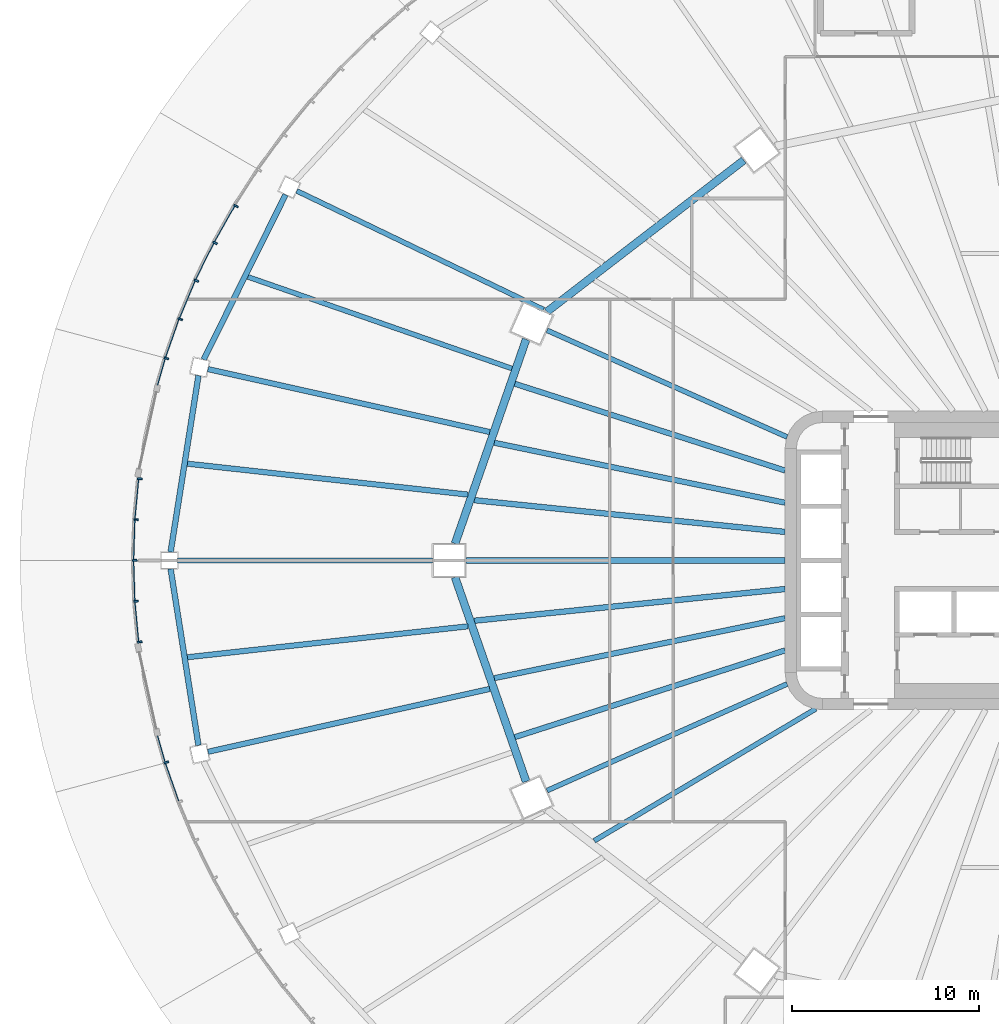
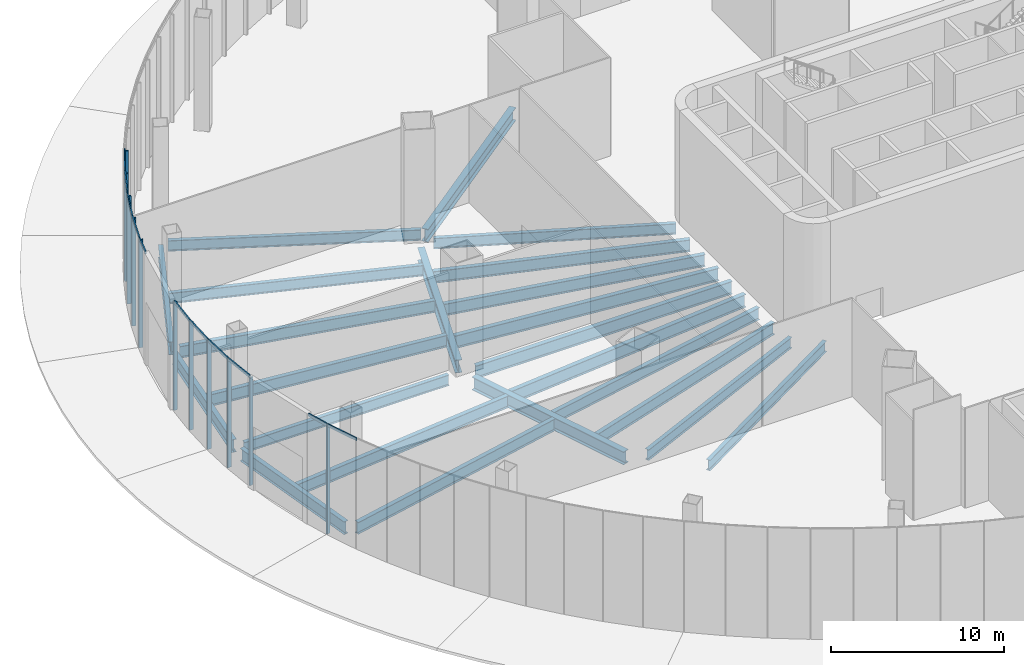
# One storey, part 4 of 36: 23 beams, 22 members, 6 elements without a shape of their own.
"""IFC4 building model written with IfcOpenShell, lengths in metres."""

from ifc_helpers import new_model, si_unit, direction, frame, origin, origin_2d, place, context, subcontext, project, spatial, rectangle, i_section, extrude, material, layer, layer_set, material_profile, profile_set, type_object, element, aggregate, save


model = new_model("IFC4")

# Units and contexts
model_context = context("Model", 3, precision=1e-05, world=origin(), true_north=direction((0.0, 1.0)))
body_context = subcontext(model_context, "Body", "Model", "MODEL_VIEW")
ifc_project = project(units=[si_unit("LENGTHUNIT", "METRE"), si_unit("AREAUNIT", "SQUARE_METRE"), si_unit("VOLUMEUNIT", "CUBIC_METRE"), si_unit("PLANEANGLEUNIT", "RADIAN"), si_unit("MASSUNIT", "GRAM", prefix="KILO")], contexts=[model_context])

# Site, building, storey
site_placement = place(None, origin())
site = spatial("IfcSite", under=ifc_project, at=site_placement, CompositionType="ELEMENT")
building_placement = place(site_placement, origin())
building = spatial("IfcBuilding", under=site, at=building_placement, Name="Sahrelin Media Tower", CompositionType="ELEMENT")
storey_placement = place(building_placement, origin())
storey = spatial("IfcBuildingStorey", under=building, at=storey_placement, Name="L00", CompositionType="ELEMENT", Elevation=0.0)

# Curtain wall, members
ifc_material_1 = material(Name="Champagne anodised aluminium 6063-T6", Category="aluminium")
ifc_layer = layer(ifc_material_1, 0.14990234375)
ifc_layer_set = layer_set([ifc_layer], Name="Concourse curtain wall")
curtain_wall_type = type_object("IfcCurtainWallType", Name="Concourse curtain wall", PredefinedType="NOTDEFINED", material=ifc_layer_set)
curtain_wall_1_placement = place(storey_placement, frame((-43.30126953125, 21.0, 0.0), z_axis=(0.0, 0.0, 1.0), x_axis=(1.0, 0.0, 0.0)))
curtain_wall_1 = element("IfcCurtainWall", 1, at=curtain_wall_1_placement, inside=storey, type_object=curtain_wall_type, Name="L00:CW:L00-P10", PredefinedType="NOTDEFINED")
ifc_material_profile_1 = material_profile(ifc_material_1, rectangle(XDim=0.10009765625, YDim=0.25, at=origin_2d()), Name="Mullion 100x250")
ifc_profile_set_1 = profile_set([ifc_material_profile_1], Name="Champagne anodised aluminium 6063-T6")
member_type_1 = type_object("IfcMemberType", Name="Mullion 100x250 CW4", PredefinedType="MULLION", material=ifc_profile_set_1)
member_1_placement = place(storey_placement, frame((-44.42431640625, 18.99609375, 0.0), z_axis=(0.0, 0.0, 1.0), x_axis=(-0.493787068155, -0.869582849028, 0.0)))
member_1 = element("IfcMember", 2, at=member_1_placement, type_object=member_type_1, Name="L00:CWM2:L00-P10", PredefinedType="MULLION", context=body_context, shape_type="SweptSolid", body=[
    extrude(rectangle(XDim=0.10009765625, YDim=0.25, at=origin_2d()), origin(), (0.0, 0.0, 1.0), 7.60009765625),
])
member_2_placement = place(storey_placement, frame((-45.54736328125, 17.018798828125, 0.0), z_axis=(0.0, 0.0, 1.0), x_axis=(-0.442262079274, -0.896885864108, 0.0)))
member_2 = element("IfcMember", 3, at=member_2_placement, type_object=member_type_1, Name="L00:CWM3:L00-P10", PredefinedType="MULLION", context=body_context, shape_type="SweptSolid", body=[
    extrude(rectangle(XDim=0.10009765625, YDim=0.25, at=origin_2d()), origin(), (0.0, 0.0, 1.0), 7.60009765625),
])
member_3_placement = place(storey_placement, frame((-46.54541015625, 14.9951171875, 0.0), z_axis=(0.0, 0.0, 1.0), x_axis=(-0.388450189752, -0.921469722824, 0.0)))
member_3 = element("IfcMember", 4, at=member_3_placement, type_object=member_type_1, Name="L00:CWM4:L00-P10", PredefinedType="MULLION", context=body_context, shape_type="SweptSolid", body=[
    extrude(rectangle(XDim=0.10009765625, YDim=0.25, at=origin_2d()), origin(), (0.0, 0.0, 1.0), 7.60009765625),
])
member_4_placement = place(storey_placement, frame((-47.416015625, 12.930419921875, 0.0), z_axis=(0.0, 0.0, 1.0), x_axis=(-0.332579242691, -0.943075313711, 0.0)))
member_4 = element("IfcMember", 5, at=member_4_placement, type_object=member_type_1, Name="L00:CWM5:L00-P10", PredefinedType="MULLION", context=body_context, shape_type="SweptSolid", body=[
    extrude(rectangle(XDim=0.10009765625, YDim=0.25, at=origin_2d()), origin(), (0.0, 0.0, 1.0), 7.60009765625),
])

# Curtain wall, member
curtain_wall_2_placement = place(storey_placement, frame((-48.29638671875, 10.870361328125, 0.0), z_axis=(0.0, 0.0, 1.0), x_axis=(1.0, 0.0, 0.0)))
curtain_wall_2 = element("IfcCurtainWall", 6, at=curtain_wall_2_placement, inside=storey, type_object=curtain_wall_type, Name="L00:CW:L00-P11", PredefinedType="NOTDEFINED")
member_5_placement = place(storey_placement, frame((-48.156982421875, 10.83056640625, 0.0), z_axis=(0.0, 0.0, 1.0), x_axis=(-0.274810138831, -0.961498511489, 0.0)))
member_5 = element("IfcMember", 7, at=member_5_placement, type_object=member_type_1, Name="L00:CWM1:L00-P11", PredefinedType="MULLION", context=body_context, shape_type="SweptSolid", body=[
    extrude(rectangle(XDim=0.10009765625, YDim=0.25, at=origin_2d()), origin(), (0.0, 0.0, 1.0), 7.60009765625),
])

# Curtain wall, members
curtain_wall_3_placement = place(storey_placement, frame((-49.703857421875, 4.53271484375, 0.0), z_axis=(0.0, 0.0, 1.0), x_axis=(1.0, 0.0, 0.0)))
curtain_wall_3 = element("IfcCurtainWall", 8, at=curtain_wall_3_placement, inside=storey, type_object=curtain_wall_type, Name="L00:CW2:L00-P11", PredefinedType="NOTDEFINED")
member_6_placement = place(storey_placement, frame((-49.581787109375, 4.376708984375, 0.0), z_axis=(0.0, 0.0, 1.0), x_axis=(-0.09329161754, -0.995638827134, 0.0)))
member_6 = element("IfcMember", 9, at=member_6_placement, type_object=member_type_1, Name="L00:CWM4:L00-P11", PredefinedType="MULLION", context=body_context, shape_type="SweptSolid", body=[
    extrude(rectangle(XDim=0.10009765625, YDim=0.25, at=origin_2d()), origin(), (0.0, 0.0, 1.0), 7.60009765625),
])
member_7_placement = place(storey_placement, frame((-49.78662109375, 2.193603515625, 0.0), z_axis=(0.0, 0.0, 1.0), x_axis=(-0.031147343317, -0.999514803794, 0.0)))
member_7 = element("IfcMember", 10, at=member_7_placement, type_object=member_type_1, Name="L00:CWM5:L00-P11", PredefinedType="MULLION", context=body_context, shape_type="SweptSolid", body=[
    extrude(rectangle(XDim=0.10009765625, YDim=0.25, at=origin_2d()), origin(), (0.0, 0.0, 1.0), 7.60009765625),
])

curtain_wall_4_placement = place(storey_placement, frame((-50.0, 0.0, 0.0), z_axis=(0.0, 0.0, 1.0), x_axis=(1.0, 0.0, 0.0)))
curtain_wall_4 = element("IfcCurtainWall", 11, at=curtain_wall_4_placement, inside=storey, type_object=curtain_wall_type, Name="L00:CW:L00-P12", PredefinedType="NOTDEFINED")
member_8_placement = place(storey_placement, frame((-49.85498046875, 0.00439453125, 0.0), z_axis=(0.0, 0.0, 1.0), x_axis=(0.031147343317, -0.999514803794, 0.0)))
member_8 = element("IfcMember", 12, at=member_8_placement, type_object=member_type_1, Name="L00:CWM1:L00-P12", PredefinedType="MULLION", context=body_context, shape_type="SweptSolid", body=[
    extrude(rectangle(XDim=0.10009765625, YDim=0.25, at=origin_2d()), origin(), (0.0, 0.0, 1.0), 7.60009765625),
])
member_9_placement = place(storey_placement, frame((-49.787109375, -2.1845703125, 0.0), z_axis=(0.0, 0.0, 1.0), x_axis=(0.09329161754, -0.995638827134, 0.0)))
member_9 = element("IfcMember", 13, at=member_9_placement, type_object=member_type_1, Name="L00:CWM2:L00-P12", PredefinedType="MULLION", context=body_context, shape_type="SweptSolid", body=[
    extrude(rectangle(XDim=0.10009765625, YDim=0.25, at=origin_2d()), origin(), (0.0, 0.0, 1.0), 7.60009765625),
])
member_10_placement = place(storey_placement, frame((-49.582763671875, -4.36767578125, 0.0), z_axis=(0.0, 0.0, 1.0), x_axis=(0.154851778565, -0.987937713965, 0.0)))
member_10 = element("IfcMember", 14, at=member_10_placement, type_object=member_type_1, Name="L00:CWM3:L00-P12", PredefinedType="MULLION", context=body_context, shape_type="SweptSolid", body=[
    extrude(rectangle(XDim=0.10009765625, YDim=0.25, at=origin_2d()), origin(), (0.0, 0.0, 1.0), 7.60009765625),
])

# Curtain wall, member
curtain_wall_5_placement = place(storey_placement, frame((-48.29638671875, -10.870361328125, 0.0), z_axis=(0.0, 0.0, 1.0), x_axis=(1.0, 0.0, 0.0)))
curtain_wall_5 = element("IfcCurtainWall", 15, at=curtain_wall_5_placement, inside=storey, type_object=curtain_wall_type, Name="L00:CW:L00-P13", PredefinedType="NOTDEFINED")
member_11_placement = place(storey_placement, frame((-48.15966796875, -10.822265625, 0.0), z_axis=(0.0, 0.0, 1.0), x_axis=(0.332579242691, -0.943075313711, 0.0)))
member_11 = element("IfcMember", 16, at=member_11_placement, type_object=member_type_1, Name="L00:CWM1:L00-P13", PredefinedType="MULLION", context=body_context, shape_type="SweptSolid", body=[
    extrude(rectangle(XDim=0.10009765625, YDim=0.25, at=origin_2d()), origin(), (0.0, 0.0, 1.0), 7.60009765625),
])

# Beams
ifc_material_2 = material(Name="Steel S355", Category="steel")
ifc_material_profile_2 = material_profile(ifc_material_2, i_section(OverallWidth=0.30322265625, OverallDepth=0.903076171875, WebThickness=0.01513671875, FlangeThickness=0.020263671875, FilletRadius=0.01904296875, at=origin_2d()), Name="UB 914x305x201")
ifc_profile_set_2 = profile_set([ifc_material_profile_2], Name="Steel S355")
beam_type_1 = type_object("IfcBeamType", Name="Podium edge girder PE11", PredefinedType="BEAM", material=ifc_profile_set_2)
beam_1_placement = place(storey_placement, frame((-41.76953125, 19.596923828125, -0.75146484375), z_axis=(-0.445112588569, -0.895474613541, 0.0), x_axis=(0.895474613541, -0.445112588569, 0.0)))
element("IfcBeam", 17, at=beam_1_placement, inside=storey, type_object=beam_type_1, Name="Podium edge girder L00-11", PredefinedType="BEAM", context=body_context, shape_type="SweptSolid", body=[
    extrude(i_section(OverallWidth=0.30322265625, OverallDepth=0.903076171875, WebThickness=0.01513671875, FlangeThickness=0.020263671875, FilletRadius=0.01904296875, at=origin_2d()), origin(), (0.0, 0.0, 1.0), 9.859619140625),
])
for number, where, z_axis, x_axis, name in (
    (18, (-46.434814453125, 9.907470703125, -0.75146484375), (-0.156048991104, -0.987749316565, 0.0), (0.987749316565, -0.156048991104, 0.0), "Podium edge girder L00-12"),
    (19, (-47.928955078125, -0.449951171875, -0.75146484375), (0.156048991104, -0.987749316565, 0.0), (0.987749316565, 0.156048991104, 0.0), "Podium edge girder L00-13"),
):
    element("IfcBeam", number, at=place(storey_placement, frame(where, z_axis=z_axis, x_axis=x_axis)), inside=storey, type_object=beam_type_1, Name=name, PredefinedType="BEAM", context=body_context, shape_type="SweptSolid", body=[
        extrude(i_section(OverallWidth=0.30322265625, OverallDepth=0.903076171875, WebThickness=0.01513671875, FlangeThickness=0.020263671875, FilletRadius=0.01904296875, at=origin_2d()), origin(), (0.0, 0.0, 1.0), 9.57470703125),
    ])
ifc_material_profile_3 = material_profile(ifc_material_2, i_section(OverallWidth=0.41845703125, OverallDepth=0.911865234375, WebThickness=0.019287109375, FlangeThickness=0.031982421875, FilletRadius=0.024169921875, at=origin_2d()), Name="UB 914x419x343")
ifc_profile_set_3 = profile_set([ifc_material_profile_3], Name="Steel S355")
beam_type_2 = type_object("IfcBeamType", Name="Podium ring girder PG12", PredefinedType="BEAM", material=ifc_profile_set_3)
beam_2_placement = place(storey_placement, frame((-17.21337890625, 21.447998046875, -0.755859375), z_axis=(-0.792445416108, -0.609942835428, 0.0), x_axis=(0.609942835428, -0.792445416108, 0.0)))
element("IfcBeam", 20, at=beam_2_placement, inside=storey, type_object=beam_type_2, Name="Podium girder L00-05", PredefinedType="BEAM", context=body_context, shape_type="SweptSolid", body=[
    extrude(i_section(OverallWidth=0.41845703125, OverallDepth=0.911865234375, WebThickness=0.019287109375, FlangeThickness=0.031982421875, FilletRadius=0.024169921875, at=origin_2d()), origin(), (0.0, 0.0, 1.0), 13.318603515625),
])
for number, where, z_axis, x_axis, name in (
    (21, (-28.875732421875, 11.84716796875, -0.755859375), (-0.328773851324, -0.944408679908, 0.0), (0.944408679908, -0.328773851324, 0.0), "Podium girder L00-06"),
    (22, (-32.686767578125, -0.89990234375, -0.755859375), (0.328773851324, -0.944408679908, 0.0), (0.944408679908, 0.328773851324, 0.0), "Podium girder L00-07"),
):
    element("IfcBeam", number, at=place(storey_placement, frame(where, z_axis=z_axis, x_axis=x_axis)), inside=storey, type_object=beam_type_2, Name=name, PredefinedType="BEAM", context=body_context, shape_type="SweptSolid", body=[
        extrude(i_section(OverallWidth=0.41845703125, OverallDepth=0.911865234375, WebThickness=0.019287109375, FlangeThickness=0.031982421875, FilletRadius=0.024169921875, at=origin_2d()), origin(), (0.0, 0.0, 1.0), 11.591552734375),
    ])
ifc_material_profile_4 = material_profile(ifc_material_2, i_section(OverallWidth=0.291748046875, OverallDepth=0.8349609375, WebThickness=0.013916015625, FlangeThickness=0.018798828125, FilletRadius=0.017822265625, at=origin_2d()), Name="UB 838x292x176")
ifc_profile_set_4 = profile_set([ifc_material_profile_4], Name="Steel S355")
beam_type_3 = type_object("IfcBeamType", Name="Radial primary beam PB10", PredefinedType="BEAM", material=ifc_profile_set_4)
for number, where, z_axis, x_axis, name in (
    (23, (-15.0, 3.093505859375, -0.71728515625), (-0.979386832716, 0.201993643221, 0.0), (-0.201993643221, -0.979386832716, 0.0), "Radial beam L00-12"),
    (24, (-15.0, -3.093505859375, -0.71728515625), (-0.979386832716, -0.201993643221, 0.0), (0.201993643221, -0.979386832716, 0.0), "Radial beam L00-14"),
):
    element("IfcBeam", number, at=place(storey_placement, frame(where, z_axis=z_axis, x_axis=x_axis)), inside=storey, type_object=beam_type_3, Name=name, PredefinedType="BEAM", context=body_context, shape_type="SweptSolid", body=[
        extrude(i_section(OverallWidth=0.291748046875, OverallDepth=0.8349609375, WebThickness=0.013916015625, FlangeThickness=0.018798828125, FilletRadius=0.017822265625, at=origin_2d()), origin(), (0.0, 0.0, 1.0), 15.91064453125),
    ])
for number, where, z_axis, x_axis, name in (
    (25, (-30.825439453125, 6.883056640625, -0.71728515625), (-0.975966755314, 0.217919463385, 0.0), (-0.217919463385, -0.975966755314, 0.0), "Radial beam L00-12"),
    (26, (-30.825439453125, -6.883056640625, -0.71728515625), (-0.975966755314, -0.217919463385, 0.0), (0.217919463385, -0.975966755314, 0.0), "Radial beam L00-14"),
):
    element("IfcBeam", number, at=place(storey_placement, frame(where, z_axis=z_axis, x_axis=x_axis)), inside=storey, type_object=beam_type_3, Name=name, PredefinedType="BEAM", context=body_context, shape_type="SweptSolid", body=[
        extrude(i_section(OverallWidth=0.291748046875, OverallDepth=0.8349609375, WebThickness=0.013916015625, FlangeThickness=0.018798828125, FilletRadius=0.017822265625, at=origin_2d()), origin(), (0.0, 0.0, 1.0), 15.4716796875),
    ])
ifc_material_profile_5 = material_profile(ifc_material_2, i_section(OverallWidth=0.30322265625, OverallDepth=0.903076171875, WebThickness=0.01513671875, FlangeThickness=0.020263671875, FilletRadius=0.01904296875, at=origin_2d()), Name="UB 914x305x201")
ifc_profile_set_5 = profile_set([ifc_material_profile_5], Name="Steel S355")
beam_type_4 = type_object("IfcBeamType", Name="Radial primary beam PB11", PredefinedType="BEAM", material=ifc_profile_set_5)
beam_3_placement = place(storey_placement, frame((-15.0, 0.0, -0.75146484375), z_axis=(-1.0, 0.0, 0.0), x_axis=(0.0, -1.0, 0.0)))
element("IfcBeam", 27, at=beam_3_placement, inside=storey, type_object=beam_type_4, Name="Radial beam L00-13", PredefinedType="BEAM", context=body_context, shape_type="SweptSolid", body=[
    extrude(i_section(OverallWidth=0.30322265625, OverallDepth=0.903076171875, WebThickness=0.01513671875, FlangeThickness=0.020263671875, FilletRadius=0.01904296875, at=origin_2d()), origin(), (0.0, 0.0, 1.0), 17.10009765625),
])
ifc_material_profile_6 = material_profile(ifc_material_2, i_section(OverallWidth=0.26513671875, OverallDepth=0.75390625, WebThickness=0.0126953125, FlangeThickness=0.017578125, FilletRadius=0.0166015625, at=origin_2d()), Name="UB 762x267x147")
ifc_profile_set_6 = profile_set([ifc_material_profile_6], Name="Steel S355")
beam_type_5 = type_object("IfcBeamType", Name="Radial primary beam PB9", PredefinedType="BEAM", material=ifc_profile_set_6)
for number, where, z_axis, x_axis, name in (
    (28, (-14.890625, 6.6171875, -0.677001953125), (-0.913833000058, 0.406090196883, 0.0), (-0.406090196883, -0.913833000058, 0.0), "Radial beam L00-11"),
    (29, (-14.890625, -6.6171875, -0.677001953125), (-0.913833000058, -0.406090196883, 0.0), (0.406090196883, -0.913833000058, 0.0), "Radial beam L00-15"),
):
    element("IfcBeam", number, at=place(storey_placement, frame(where, z_axis=z_axis, x_axis=x_axis)), inside=storey, type_object=beam_type_5, Name=name, PredefinedType="BEAM", context=body_context, shape_type="SweptSolid", body=[
        extrude(i_section(OverallWidth=0.26513671875, OverallDepth=0.75390625, WebThickness=0.0126953125, FlangeThickness=0.017578125, FilletRadius=0.0166015625, at=origin_2d()), origin(), (0.0, 0.0, 1.0), 14.078857421875),
    ])
beam_4_placement = place(storey_placement, frame((-27.950439453125, 13.44775390625, -0.677001953125), z_axis=(-0.901130102072, 0.433548773657, 0.0), x_axis=(-0.433548773657, -0.901130102072, 0.0)))
element("IfcBeam", 30, at=beam_4_placement, inside=storey, type_object=beam_type_5, Name="Radial beam L00-11", PredefinedType="BEAM", context=body_context, shape_type="SweptSolid", body=[
    extrude(i_section(OverallWidth=0.26513671875, OverallDepth=0.75390625, WebThickness=0.0126953125, FlangeThickness=0.017578125, FilletRadius=0.0166015625, at=origin_2d()), origin(), (0.0, 0.0, 1.0), 14.6630859375),
])
beam_5_placement = place(storey_placement, frame((-33.89990234375, 0.0, -0.677001953125), z_axis=(-1.0, 0.0, 0.0), x_axis=(0.0, -1.0, 0.0)))
element("IfcBeam", 31, at=beam_5_placement, inside=storey, type_object=beam_type_5, Name="Radial beam L00-13", PredefinedType="BEAM", context=body_context, shape_type="SweptSolid", body=[
    extrude(i_section(OverallWidth=0.26513671875, OverallDepth=0.75390625, WebThickness=0.0126953125, FlangeThickness=0.017578125, FilletRadius=0.0166015625, at=origin_2d()), origin(), (0.0, 0.0, 1.0), 13.650146484375),
])
ifc_material_profile_7 = material_profile(ifc_material_2, i_section(OverallWidth=0.291748046875, OverallDepth=0.8349609375, WebThickness=0.013916015625, FlangeThickness=0.018798828125, FilletRadius=0.017822265625, at=origin_2d()), Name="UB 838x292x176")
ifc_profile_set_7 = profile_set([ifc_material_profile_7], Name="Steel S355")
beam_type_6 = type_object("IfcBeamType", Name="Radial secondary beam SB10", PredefinedType="BEAM", material=ifc_profile_set_7)
for number, where, z_axis, x_axis, name in (
    (32, (-15.0, 4.81787109375, -0.71728515625), (-0.952096340592, 0.305798231244, 0.0), (-0.305798231244, -0.952096340592, 0.0), "Secondary beam L00-13"),
    (33, (-15.0, -4.81787109375, -0.71728515625), (-0.952096340592, -0.305798231244, 0.0), (0.305798231244, -0.952096340592, 0.0), "Secondary beam L00-16"),
):
    element("IfcBeam", number, at=place(storey_placement, frame(where, z_axis=z_axis, x_axis=x_axis)), inside=storey, type_object=beam_type_6, Name=name, PredefinedType="BEAM", context=body_context, shape_type="SweptSolid", body=[
        extrude(i_section(OverallWidth=0.291748046875, OverallDepth=0.8349609375, WebThickness=0.013916015625, FlangeThickness=0.018798828125, FilletRadius=0.017822265625, at=origin_2d()), origin(), (0.0, 0.0, 1.0), 15.210693359375),
    ])
for number, where, z_axis, x_axis, name in (
    (34, (-31.9931640625, 3.528564453125, -0.71728515625), (-0.993973950123, 0.109616542901, 0.0), (-0.109616542901, -0.993973950123, 0.0), "Secondary beam L00-12"),
    (35, (-31.9931640625, -3.528564453125, -0.71728515625), (-0.993973950123, -0.109616542901, 0.0), (0.109616542901, -0.993973950123, 0.0), "Secondary beam L00-13"),
):
    element("IfcBeam", number, at=place(storey_placement, frame(where, z_axis=z_axis, x_axis=x_axis)), inside=storey, type_object=beam_type_6, Name=name, PredefinedType="BEAM", context=body_context, shape_type="SweptSolid", body=[
        extrude(i_section(OverallWidth=0.291748046875, OverallDepth=0.8349609375, WebThickness=0.013916015625, FlangeThickness=0.018798828125, FilletRadius=0.017822265625, at=origin_2d()), origin(), (0.0, 0.0, 1.0), 15.125),
    ])
ifc_material_profile_8 = material_profile(ifc_material_2, i_section(OverallWidth=0.30322265625, OverallDepth=0.903076171875, WebThickness=0.01513671875, FlangeThickness=0.020263671875, FilletRadius=0.01904296875, at=origin_2d()), Name="UB 914x305x201")
ifc_profile_set_8 = profile_set([ifc_material_profile_8], Name="Steel S355")
beam_type_7 = type_object("IfcBeamType", Name="Radial secondary beam SB11", PredefinedType="BEAM", material=ifc_profile_set_8)
for number, where, z_axis, x_axis, name in (
    (36, (-15.0, 1.53076171875, -0.75146484375), (-0.994833571419, 0.10151928476, 0.0), (-0.10151928476, -0.994833571419, 0.0), "Secondary beam L00-14"),
    (37, (-15.0, -1.53076171875, -0.75146484375), (-0.994833571419, -0.10151928476, 0.0), (0.10151928476, -0.994833571419, 0.0), "Secondary beam L00-15"),
):
    element("IfcBeam", number, at=place(storey_placement, frame(where, z_axis=z_axis, x_axis=x_axis)), inside=storey, type_object=beam_type_7, Name=name, PredefinedType="BEAM", context=body_context, shape_type="SweptSolid", body=[
        extrude(i_section(OverallWidth=0.30322265625, OverallDepth=0.903076171875, WebThickness=0.01513671875, FlangeThickness=0.020263671875, FilletRadius=0.01904296875, at=origin_2d()), origin(), (0.0, 0.0, 1.0), 16.740234375),
    ])
ifc_material_profile_9 = material_profile(ifc_material_2, i_section(OverallWidth=0.26513671875, OverallDepth=0.75390625, WebThickness=0.0126953125, FlangeThickness=0.017578125, FilletRadius=0.0166015625, at=origin_2d()), Name="UB 762x267x147")
ifc_profile_set_9 = profile_set([ifc_material_profile_9], Name="Steel S355")
beam_type_8 = type_object("IfcBeamType", Name="Radial secondary beam SB9", PredefinedType="BEAM", material=ifc_profile_set_9)
beam_6_placement = place(storey_placement, frame((-13.356201171875, -7.953125, -0.677001953125), z_axis=(-0.859199265621, -0.511641106594, 0.0), x_axis=(0.511641106594, -0.859199265621, 0.0)))
element("IfcBeam", 38, at=beam_6_placement, inside=storey, type_object=beam_type_8, Name="Secondary beam L00-17", PredefinedType="BEAM", context=body_context, shape_type="SweptSolid", body=[
    extrude(i_section(OverallWidth=0.26513671875, OverallDepth=0.75390625, WebThickness=0.0126953125, FlangeThickness=0.017578125, FilletRadius=0.0166015625, at=origin_2d()), origin(), (0.0, 0.0, 1.0), 13.810791015625),
])
beam_7_placement = place(storey_placement, frame((-29.640380859375, 10.287109375, -0.677001953125), z_axis=(-0.944713020182, 0.32789832189, 0.0), x_axis=(-0.32789832189, -0.944713020182, 0.0)))
element("IfcBeam", 39, at=beam_7_placement, inside=storey, type_object=beam_type_8, Name="Secondary beam L00-11", PredefinedType="BEAM", context=body_context, shape_type="SweptSolid", body=[
    extrude(i_section(OverallWidth=0.26513671875, OverallDepth=0.75390625, WebThickness=0.0126953125, FlangeThickness=0.017578125, FilletRadius=0.0166015625, at=origin_2d()), origin(), (0.0, 0.0, 1.0), 14.974609375),
])

# Member
ifc_material_profile_10 = material_profile(ifc_material_1, rectangle(XDim=0.080078125, YDim=0.199951171875, at=origin_2d()), Name="Transom 80x200")
ifc_profile_set_10 = profile_set([ifc_material_profile_10], Name="Champagne anodised aluminium 6063-T6")
member_type_2 = type_object("IfcMemberType", Name="Transom 80x200 CW4", PredefinedType="USERDEFINED", material=ifc_profile_set_10)
member_12_placement = place(storey_placement, frame((-44.52783203125, 18.98583984375, 7.699951171875), z_axis=(-0.493699836243, -0.869632377326, 0.0), x_axis=(0.869632377326, -0.493699836243, 0.0)))
member_12 = element("IfcMember", 40, at=member_12_placement, type_object=member_type_2, Name="L00:CWT2a:L00-P10", ObjectType="TRANSOM", PredefinedType="USERDEFINED", context=body_context, shape_type="SweptSolid", body=[
    extrude(rectangle(XDim=0.080078125, YDim=0.199951171875, at=origin_2d()), origin(), (0.0, 0.0, 1.0), 2.222412109375),
])

member_13_placement = place(storey_placement, frame((-45.64990234375, 17.002685546875, 7.699951171875), z_axis=(-0.442291264208, -0.896871472177, 0.0), x_axis=(0.896871472177, -0.442291264208, 0.0)))
member_13 = element("IfcMember", 41, at=member_13_placement, type_object=member_type_2, Name="L00:CWT3a:L00-P10", ObjectType="TRANSOM", PredefinedType="USERDEFINED", context=body_context, shape_type="SweptSolid", body=[
    extrude(rectangle(XDim=0.080078125, YDim=0.199951171875, at=origin_2d()), origin(), (0.0, 0.0, 1.0), 2.205322265625),
])

member_14_placement = place(storey_placement, frame((-46.64697265625, 14.972900390625, 7.699951171875), z_axis=(-0.388475685742, -0.921458974446, 0.0), x_axis=(0.921458974446, -0.388475685742, 0.0)))
member_14 = element("IfcMember", 42, at=member_14_placement, type_object=member_type_2, Name="L00:CWT4a:L00-P10", ObjectType="TRANSOM", PredefinedType="USERDEFINED", context=body_context, shape_type="SweptSolid", body=[
    extrude(rectangle(XDim=0.080078125, YDim=0.199951171875, at=origin_2d()), origin(), (0.0, 0.0, 1.0), 2.189453125),
])

member_15_placement = place(storey_placement, frame((-47.51611328125, 12.902099609375, 7.699951171875), z_axis=(-0.332608797654, -0.943064890515, 0.0), x_axis=(0.943064890515, -0.332608797654, 0.0)))
member_15 = element("IfcMember", 43, at=member_15_placement, type_object=member_type_2, Name="L00:CWT5a:L00-P10", ObjectType="TRANSOM", PredefinedType="USERDEFINED", context=body_context, shape_type="SweptSolid", body=[
    extrude(rectangle(XDim=0.080078125, YDim=0.199951171875, at=origin_2d()), origin(), (0.0, 0.0, 1.0), 2.175537109375),
])

aggregate(curtain_wall_1, [member_1, member_12, member_2, member_13, member_3, member_14, member_4, member_15])

member_16_placement = place(storey_placement, frame((-48.255126953125, 10.796142578125, 7.699951171875), z_axis=(-0.274833089977, -0.961491951424, 0.0), x_axis=(0.961491951424, -0.274833089977, 0.0)))
member_16 = element("IfcMember", 44, at=member_16_placement, type_object=member_type_2, Name="L00:CWT1a:L00-P11", ObjectType="TRANSOM", PredefinedType="USERDEFINED", context=body_context, shape_type="SweptSolid", body=[
    extrude(rectangle(XDim=0.080078125, YDim=0.199951171875, at=origin_2d()), origin(), (0.0, 0.0, 1.0), 1.43994140625),
])

aggregate(curtain_wall_2, [member_5, member_16])

member_17_placement = place(storey_placement, frame((-49.672119140625, 4.324951171875, 7.699951171875), z_axis=(-0.093238310842, -0.995643820546, 0.0), x_axis=(0.995643820546, -0.093238310842, 0.0)))
member_17 = element("IfcMember", 45, at=member_17_placement, type_object=member_type_2, Name="L00:CWT4a:L00-P11", ObjectType="TRANSOM", PredefinedType="USERDEFINED", context=body_context, shape_type="SweptSolid", body=[
    extrude(rectangle(XDim=0.080078125, YDim=0.199951171875, at=origin_2d()), origin(), (0.0, 0.0, 1.0), 2.141845703125),
])

member_18_placement = place(storey_placement, frame((-49.873291015625, 2.13623046875, 7.699951171875), z_axis=(-0.031156367282, -0.999514522545, 0.0), x_axis=(0.999514522545, -0.031156367282, 0.0)))
member_18 = element("IfcMember", 46, at=member_18_placement, type_object=member_type_2, Name="L00:CWT5a:L00-P11", ObjectType="TRANSOM", PredefinedType="USERDEFINED", context=body_context, shape_type="SweptSolid", body=[
    extrude(rectangle(XDim=0.080078125, YDim=0.199951171875, at=origin_2d()), origin(), (0.0, 0.0, 1.0), 2.13916015625),
])

aggregate(curtain_wall_3, [member_6, member_17, member_7, member_18])

member_19_placement = place(storey_placement, frame((-49.938232421875, -0.05810546875, 7.699951171875), z_axis=(0.031156367282, -0.999514522545, 0.0), x_axis=(0.999514522545, 0.031156367282, 0.0)))
member_19 = element("IfcMember", 47, at=member_19_placement, type_object=member_type_2, Name="L00:CWT1a:L00-P12", ObjectType="TRANSOM", PredefinedType="USERDEFINED", context=body_context, shape_type="SweptSolid", body=[
    extrude(rectangle(XDim=0.080078125, YDim=0.199951171875, at=origin_2d()), origin(), (0.0, 0.0, 1.0), 2.13916015625),
])

member_20_placement = place(storey_placement, frame((-49.8662109375, -2.252197265625, 7.699951171875), z_axis=(0.093248893349, -0.995642829477, 0.0), x_axis=(0.995642829477, 0.093248893349, 0.0)))
member_20 = element("IfcMember", 48, at=member_20_placement, type_object=member_type_2, Name="L00:CWT2a:L00-P12", ObjectType="TRANSOM", PredefinedType="USERDEFINED", context=body_context, shape_type="SweptSolid", body=[
    extrude(rectangle(XDim=0.080078125, YDim=0.199951171875, at=origin_2d()), origin(), (0.0, 0.0, 1.0), 2.1416015625),
])

aggregate(curtain_wall_4, [member_8, member_19, member_9, member_20, member_10])

# Curtain wall, member
curtain_wall_6_placement = place(storey_placement, frame((-48.70849609375, -9.427978515625, 0.0), z_axis=(0.0, 0.0, 1.0), x_axis=(1.0, 0.0, 0.0)))
curtain_wall_6 = element("IfcCurtainWall", 49, at=curtain_wall_6_placement, inside=storey, type_object=curtain_wall_type, Name="L00:CW2:L00-P12", PredefinedType="NOTDEFINED")
member_21_placement = place(storey_placement, frame((-48.65087890625, -9.41162109375, 7.699951171875), z_axis=(0.274871584308, -0.961480947362, 0.0), x_axis=(0.961480947362, 0.274871584308, 0.0)))
member_21 = element("IfcMember", 50, at=member_21_placement, type_object=member_type_2, Name="L00:CWT5a:L00-P12", ObjectType="TRANSOM", PredefinedType="USERDEFINED", context=body_context, shape_type="SweptSolid", body=[
    extrude(rectangle(XDim=0.080078125, YDim=0.199951171875, at=origin_2d()), origin(), (0.0, 0.0, 1.0), 1.500244140625),
])
aggregate(curtain_wall_6, [member_21])

# Member
member_22_placement = place(storey_placement, frame((-48.2197265625, -10.906982421875, 7.699951171875), z_axis=(0.332608797654, -0.943064890515, 0.0), x_axis=(0.943064890515, 0.332608797654, 0.0)))
member_22 = element("IfcMember", 51, at=member_22_placement, type_object=member_type_2, Name="L00:CWT1a:L00-P13", ObjectType="TRANSOM", PredefinedType="USERDEFINED", context=body_context, shape_type="SweptSolid", body=[
    extrude(rectangle(XDim=0.080078125, YDim=0.199951171875, at=origin_2d()), origin(), (0.0, 0.0, 1.0), 2.175537109375),
])

aggregate(curtain_wall_5, [member_11, member_22])

save(model, "model.ifc")
